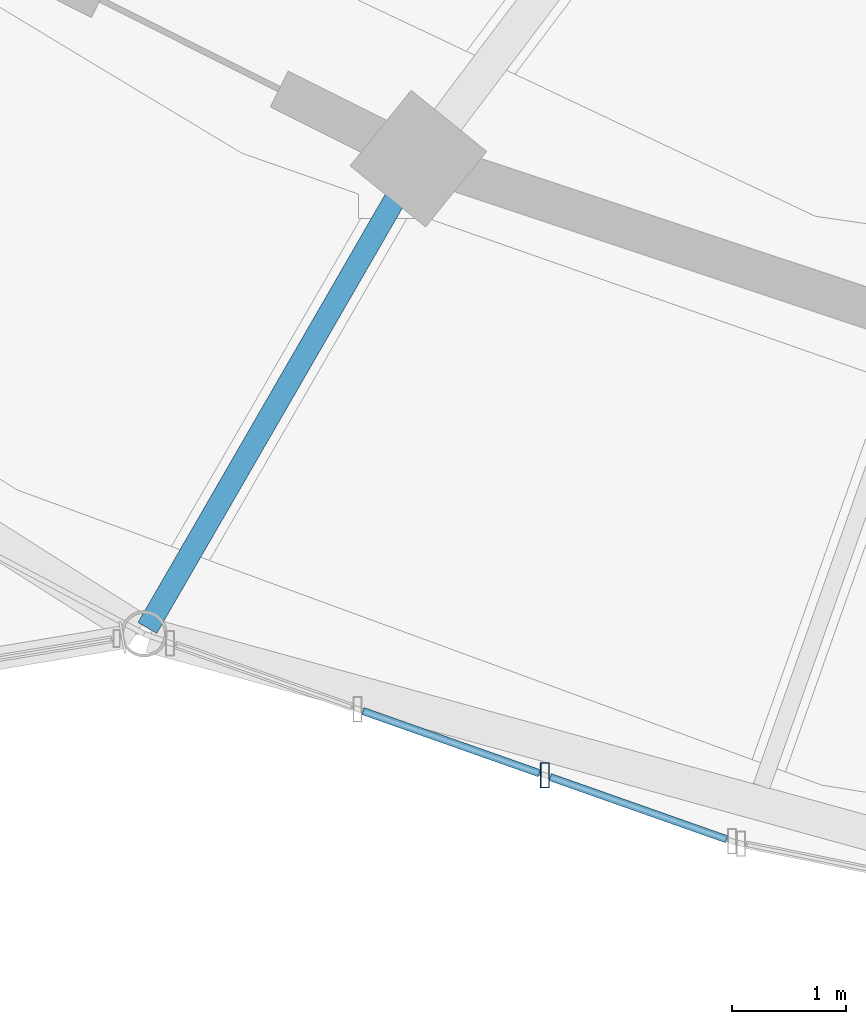
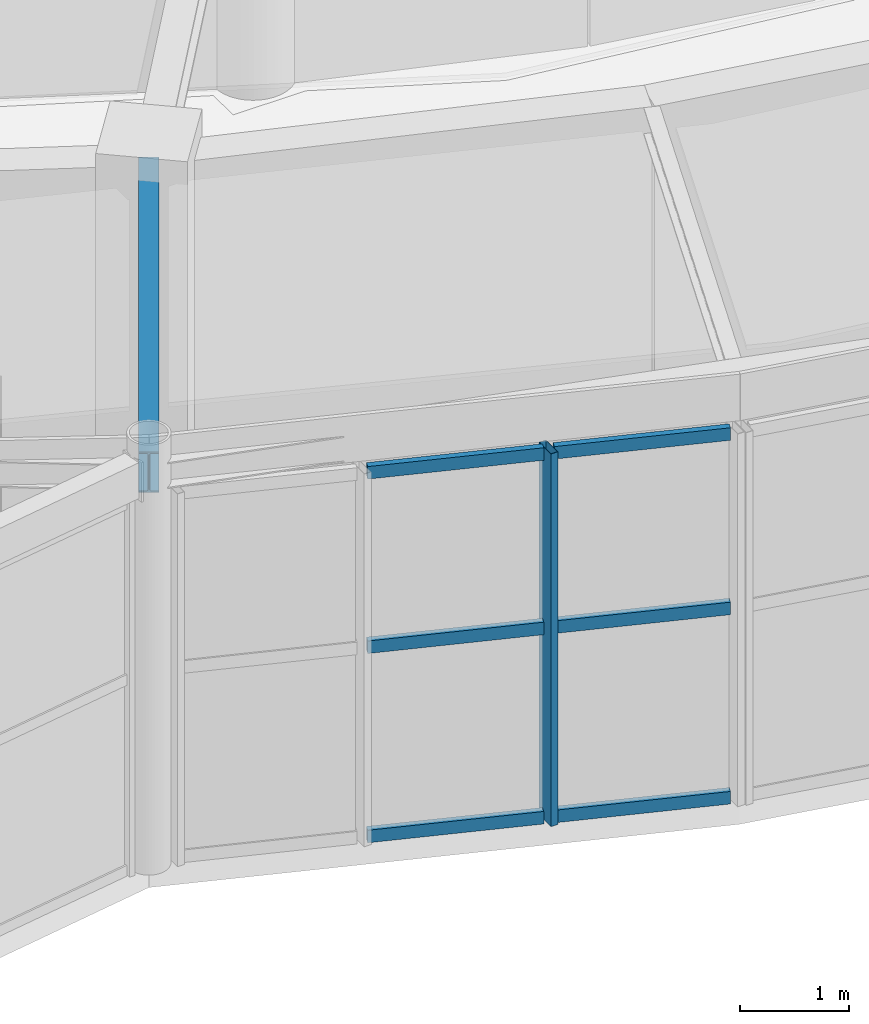
# One storey, part 22 of 100: 7 members, 1 beam, 1 element without a shape of its own.
"""IFC4 building model written with IfcOpenShell, lengths in metres."""

from ifc_helpers import new_model, si_unit, direction, frame, origin, origin_2d, place, context, subcontext, project, spatial, hollow_rectangle, i_section, extrude, material, material_profile, profile_set, type_object, element, aggregate, save


model = new_model("IFC4")

# Units and contexts
model_context = context("Model", 3, precision=1e-05, world=origin(), true_north=direction((0.0, 1.0)))
body_context = subcontext(model_context, "Body", "Model", "MODEL_VIEW")
ifc_project = project(units=[si_unit("LENGTHUNIT", "METRE"), si_unit("AREAUNIT", "SQUARE_METRE"), si_unit("VOLUMEUNIT", "CUBIC_METRE"), si_unit("PLANEANGLEUNIT", "RADIAN"), si_unit("MASSUNIT", "GRAM", prefix="KILO")], contexts=[model_context])

# Site, building, storey
site_placement = place(None, origin())
site = spatial("IfcSite", under=ifc_project, at=site_placement, CompositionType="ELEMENT")
building_placement = place(site_placement, origin())
building = spatial("IfcBuilding", under=site, at=building_placement, Name="Tarnveldt Headland Concert Hall", CompositionType="ELEMENT")
storey_placement = place(building_placement, frame((0.0, 0.0, 4.800048828125)))
storey = spatial("IfcBuildingStorey", under=building, at=storey_placement, Name="L01", CompositionType="ELEMENT", Elevation=4.800048828125)

# Curtain wall, member
ifc_material_1 = material(Name="Marine-anodised aluminium EN AW-6063-T6", Category="aluminium")
curtain_wall_type = type_object("IfcCurtainWallType", Name="CW-F2", PredefinedType="NOTDEFINED", material=ifc_material_1)
curtain_wall_placement = place(storey_placement, origin())
curtain_wall = element("IfcCurtainWall", 1, at=curtain_wall_placement, inside=storey, type_object=curtain_wall_type, Name="Curtain wall CW-L01-049", PredefinedType="NOTDEFINED")
ifc_material_profile_1 = material_profile(ifc_material_1, hollow_rectangle(XDim=0.074951171875, YDim=0.219970703125, WallThickness=0.0048828125, at=origin_2d()), Name="ALU MULLION 75x220x5", Category="aluminium")
ifc_profile_set_1 = profile_set([ifc_material_profile_1], Name="Marine-anodised aluminium EN AW-6063-T6")
member_type_1 = type_object("IfcMemberType", Name="ML-200", PredefinedType="MULLION", material=ifc_profile_set_1)
member_1_placement = place(storey_placement, frame((70.605712890625, 31.78662109375, 0.0), z_axis=(0.0, 0.0, 1.0), x_axis=(1.0, 0.0, 0.0)))
member_1 = element("IfcMember", 2, at=member_1_placement, type_object=member_type_1, Name="Mullion CW-L01-049-3", PredefinedType="MULLION", context=body_context, shape_type="SweptSolid", body=[
    extrude(hollow_rectangle(XDim=0.074951171875, YDim=0.219970703125, WallThickness=0.0048828125, at=origin_2d()), origin(), (0.0, 0.0, 1.0), 4.159912109375),
])

# Beam
ifc_material_2 = material(Name="Steel S355", Category="steel")
ifc_material_profile_2 = material_profile(ifc_material_2, i_section(OverallWidth=0.18994140625, OverallDepth=0.449951171875, WebThickness=0.009521484375, FlangeThickness=0.0146484375, FilletRadius=0.02099609375, at=origin_2d()), Name="IPE450", Category="steel")
ifc_profile_set_2 = profile_set([ifc_material_profile_2], Name="Steel S355")
beam_type = type_object("IfcBeamType", Name="SB-IPE450", PredefinedType="BEAM", material=ifc_profile_set_2)
beam_placement = place(storey_placement, frame((69.47998046875, 37.14501953125, 4.31494140625), z_axis=(-0.500016218704, -0.866016039709, 0.0), x_axis=(0.866016039709, -0.500016218704, 0.0)))
element("IfcBeam", 3, at=beam_placement, inside=storey, type_object=beam_type, Name="Framing beam L01-715", PredefinedType="BEAM", context=body_context, shape_type="SweptSolid", body=[
    extrude(i_section(OverallWidth=0.18994140625, OverallDepth=0.449951171875, WebThickness=0.009521484375, FlangeThickness=0.0146484375, FilletRadius=0.02099609375, at=origin_2d()), origin(), (0.0, 0.0, 1.0), 4.699951171875),
])

# Member
ifc_material_profile_3 = material_profile(ifc_material_1, hollow_rectangle(XDim=0.06494140625, YDim=0.139892578125, WallThickness=0.00390625, at=origin_2d()), Name="ALU TRANSOM 65x140x4", Category="aluminium")
ifc_profile_set_3 = profile_set([ifc_material_profile_3], Name="Marine-anodised aluminium EN AW-6063-T6")
member_type_2 = type_object("IfcMemberType", Name="TR-140", PredefinedType="MEMBER", material=ifc_profile_set_3)
member_2_placement = place(storey_placement, frame((69.014404296875, 32.34765625, 0.050048828125), z_axis=(0.943086608154, -0.332547213971, 0.0), x_axis=(0.332547213971, 0.943086608154, 0.0)))
member_2 = element("IfcMember", 4, at=member_2_placement, type_object=member_type_2, Name="Transom CW-L01-049-2-1", PredefinedType="MEMBER", context=body_context, shape_type="SweptSolid", body=[
    extrude(hollow_rectangle(XDim=0.06494140625, YDim=0.139892578125, WallThickness=0.00390625, at=origin_2d()), origin(), (0.0, 0.0, 1.0), 1.637939453125),
])

member_3_placement = place(storey_placement, frame((69.014404296875, 32.34765625, 2.1630859375), z_axis=(0.943086608154, -0.332547213971, 0.0), x_axis=(0.332547213971, 0.943086608154, 0.0)))
member_3 = element("IfcMember", 5, at=member_3_placement, type_object=member_type_2, Name="Transom CW-L01-049-2-2", PredefinedType="MEMBER", context=body_context, shape_type="SweptSolid", body=[
    extrude(hollow_rectangle(XDim=0.06494140625, YDim=0.139892578125, WallThickness=0.00390625, at=origin_2d()), origin(), (0.0, 0.0, 1.0), 1.637939453125),
])

member_4_placement = place(storey_placement, frame((69.014404296875, 32.34765625, 4.10986328125), z_axis=(0.943086608154, -0.332547213971, 0.0), x_axis=(0.332547213971, 0.943086608154, 0.0)))
member_4 = element("IfcMember", 6, at=member_4_placement, type_object=member_type_2, Name="Transom CW-L01-049-2-3", PredefinedType="MEMBER", context=body_context, shape_type="SweptSolid", body=[
    extrude(hollow_rectangle(XDim=0.06494140625, YDim=0.139892578125, WallThickness=0.00390625, at=origin_2d()), origin(), (0.0, 0.0, 1.0), 1.637939453125),
])

member_5_placement = place(storey_placement, frame((70.652587890625, 31.77001953125, 0.050048828125), z_axis=(0.943086608154, -0.332547213971, 0.0), x_axis=(0.332547213971, 0.943086608154, 0.0)))
member_5 = element("IfcMember", 7, at=member_5_placement, type_object=member_type_2, Name="Transom CW-L01-049-3-1", PredefinedType="MEMBER", context=body_context, shape_type="SweptSolid", body=[
    extrude(hollow_rectangle(XDim=0.06494140625, YDim=0.139892578125, WallThickness=0.00390625, at=origin_2d()), origin(), (0.0, 0.0, 1.0), 1.637939453125),
])

member_6_placement = place(storey_placement, frame((70.652587890625, 31.77001953125, 2.1630859375), z_axis=(0.943086608154, -0.332547213971, 0.0), x_axis=(0.332547213971, 0.943086608154, 0.0)))
member_6 = element("IfcMember", 8, at=member_6_placement, type_object=member_type_2, Name="Transom CW-L01-049-3-2", PredefinedType="MEMBER", context=body_context, shape_type="SweptSolid", body=[
    extrude(hollow_rectangle(XDim=0.06494140625, YDim=0.139892578125, WallThickness=0.00390625, at=origin_2d()), origin(), (0.0, 0.0, 1.0), 1.637939453125),
])

member_7_placement = place(storey_placement, frame((70.652587890625, 31.77001953125, 4.10986328125), z_axis=(0.943086608154, -0.332547213971, 0.0), x_axis=(0.332547213971, 0.943086608154, 0.0)))
member_7 = element("IfcMember", 9, at=member_7_placement, type_object=member_type_2, Name="Transom CW-L01-049-3-3", PredefinedType="MEMBER", context=body_context, shape_type="SweptSolid", body=[
    extrude(hollow_rectangle(XDim=0.06494140625, YDim=0.139892578125, WallThickness=0.00390625, at=origin_2d()), origin(), (0.0, 0.0, 1.0), 1.637939453125),
])

aggregate(curtain_wall, [member_1, member_2, member_3, member_4, member_5, member_6, member_7])

save(model, "model.ifc")
